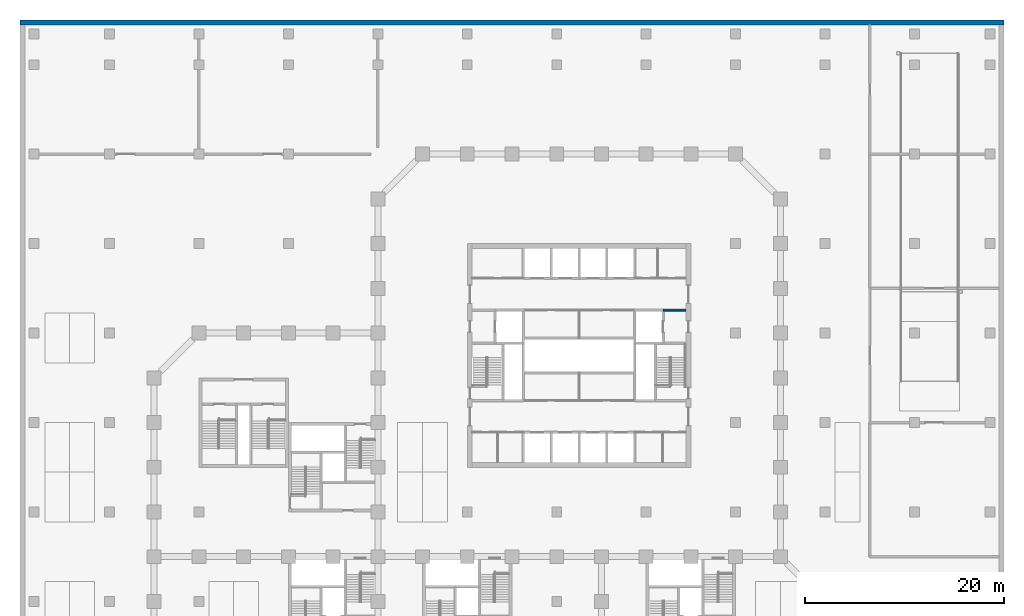
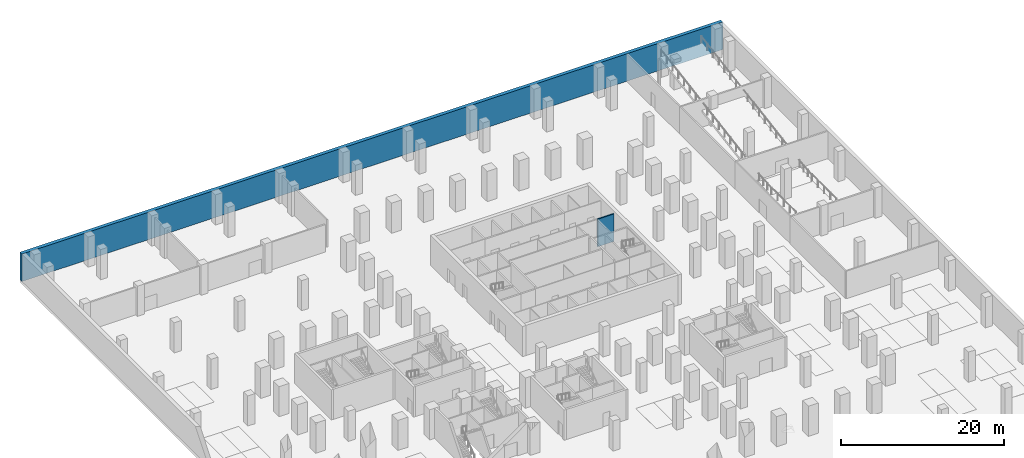
# One storey, part 12 of 16: 2 walls.
"""IFC4 building model written with IfcOpenShell, lengths in metres."""

from ifc_helpers import new_model, si_unit, direction, frame, frame_2d, origin, place, context, subcontext, project, spatial, rectangle, extrude, material, layer, layer_set, type_object, element, save


model = new_model("IFC4")

# Units and contexts
model_context = context("Model", 3, precision=1e-05, world=origin(), true_north=direction((0.0, 1.0)))
body_context = subcontext(model_context, "Body", "Model", "MODEL_VIEW")
ifc_project = project(units=[si_unit("LENGTHUNIT", "METRE"), si_unit("AREAUNIT", "SQUARE_METRE"), si_unit("VOLUMEUNIT", "CUBIC_METRE"), si_unit("PLANEANGLEUNIT", "RADIAN"), si_unit("MASSUNIT", "GRAM", prefix="KILO")], contexts=[model_context])

# Site, building, storey
site_placement = place(None, origin())
site = spatial("IfcSite", under=ifc_project, at=site_placement, CompositionType="ELEMENT")
building_placement = place(site_placement, origin())
building = spatial("IfcBuilding", under=site, at=building_placement, Name="Quoin Convention Tower", CompositionType="ELEMENT")
storey_placement = place(building_placement, frame((0.0, 0.0, -4.5)))
storey = spatial("IfcBuildingStorey", under=building, at=storey_placement, Name="B1", CompositionType="ELEMENT", Elevation=-4.5)

# Walls
ifc_material = material(Name="Concrete C50", Category="concrete")
ifc_layer_1 = layer(ifc_material, 0.199951171875)
ifc_layer_set_1 = layer_set([ifc_layer_1], Name="Concrete C50")
wall_type_1 = type_object("IfcWallType", Name="Core shaft wall", PredefinedType="SOLIDWALL", material=ifc_layer_set_1)
wall_1_placement = place(storey_placement, frame((64.699951171875, 65.300048828125, 0.0), z_axis=(0.0, 0.0, 1.0), x_axis=(1.0, 0.0, 0.0)))
element("IfcWall", 1, at=wall_1_placement, inside=storey, type_object=wall_type_1, Name="cr-C1-B1-h15800_19700", PredefinedType="SOLIDWALL", context=body_context, shape_type="SweptSolid", body=[
    extrude(rectangle(XDim=2.300048828125, YDim=0.199951171875, at=frame_2d((1.14990234375, 0.0))), origin(), (0.0, 0.0, 1.0), 4.10009765625),
])
ifc_layer_2 = layer(ifc_material, 0.5)
ifc_layer_set_2 = layer_set([ifc_layer_2], Name="Concrete C50")
wall_type_2 = type_object("IfcWallType", Name="RC RETAINING WALL 500 C50", PredefinedType="SOLIDWALL", material=ifc_layer_set_2)
wall_2_placement = place(storey_placement, frame((0.0, 94.25, 0.0), z_axis=(0.0, 0.0, 1.0), x_axis=(1.0, 0.0, 0.0)))
element("IfcWall", 2, at=wall_2_placement, inside=storey, type_object=wall_type_2, Name="bsm-B1-N", PredefinedType="SOLIDWALL", context=body_context, shape_type="SweptSolid", body=[
    extrude(rectangle(XDim=99.0, YDim=0.5, at=frame_2d((49.5, 0.0))), origin(), (0.0, 0.0, 1.0), 4.10009765625),
])

save(model, "model.ifc")
